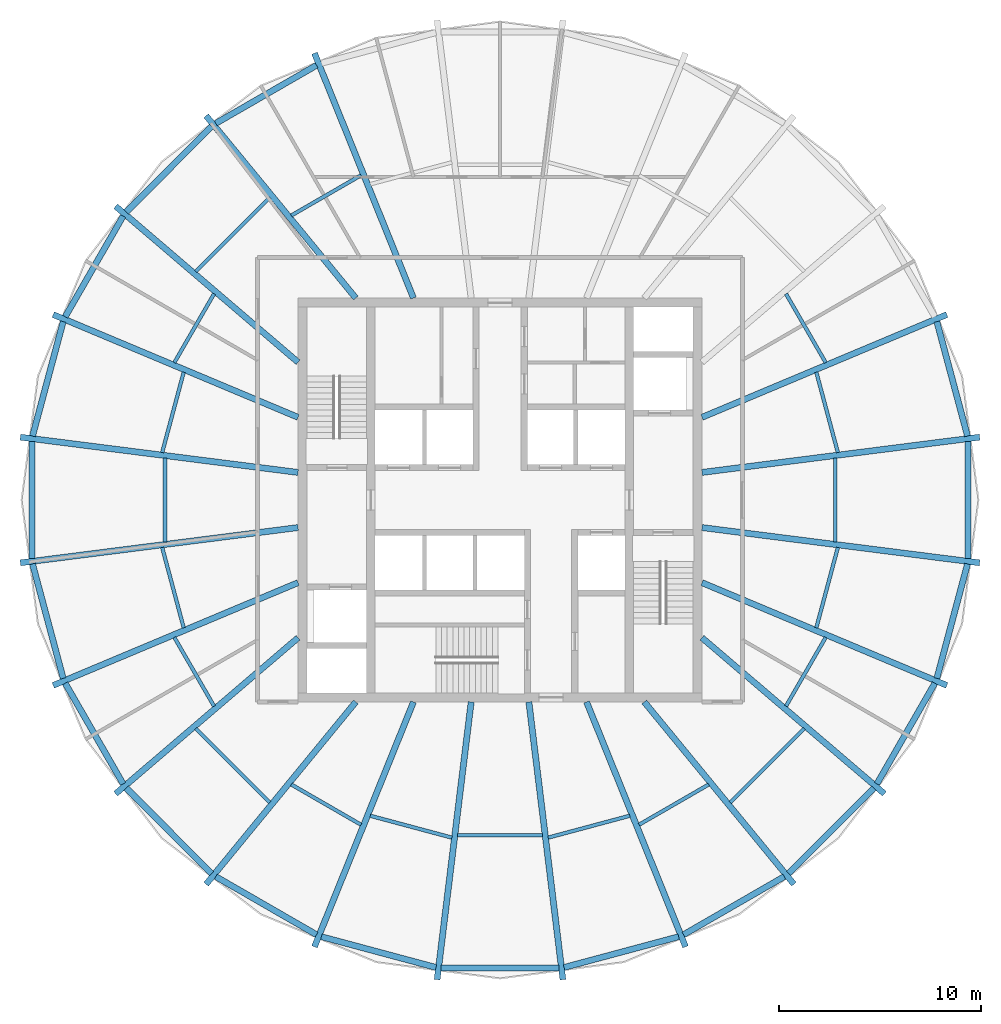
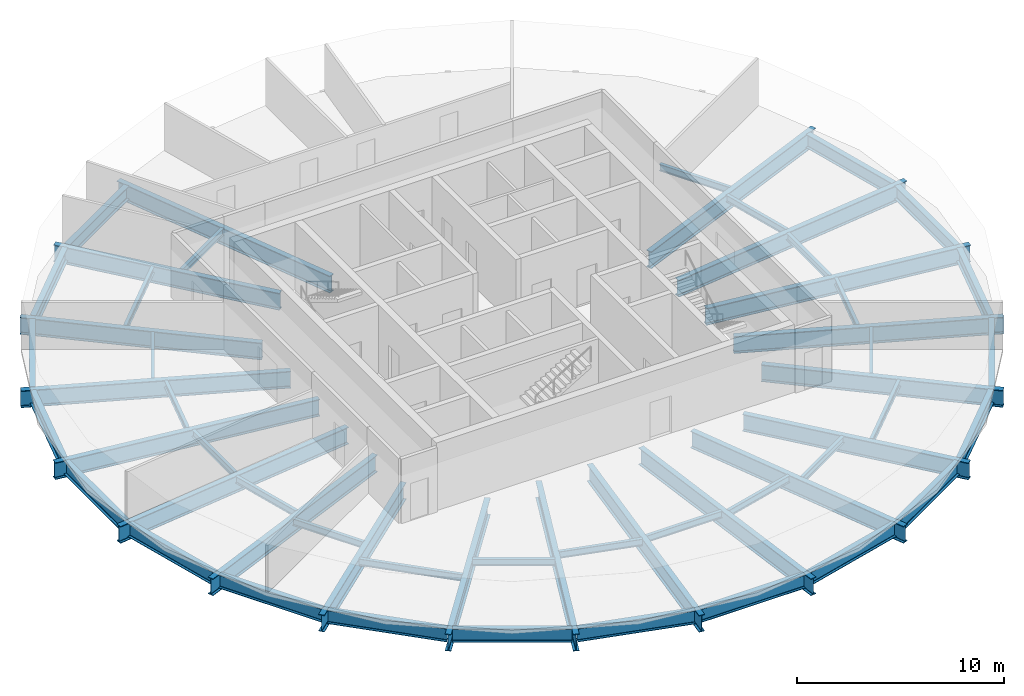
# One storey, part 1 of 5: 56 beams.
"""IFC4 building model written with IfcOpenShell, lengths in metres."""

from ifc_helpers import new_model, si_unit, direction, frame, origin, origin_2d, place, context, subcontext, project, spatial, i_section, extrude, material, material_profile, profile_set, type_object, element, save


model = new_model("IFC4")

# Units and contexts
model_context = context("Model", 3, precision=1e-05, world=origin(), true_north=direction((0.0, 1.0)))
body_context = subcontext(model_context, "Body", "Model", "MODEL_VIEW")
ifc_project = project(units=[si_unit("LENGTHUNIT", "METRE"), si_unit("AREAUNIT", "SQUARE_METRE"), si_unit("VOLUMEUNIT", "CUBIC_METRE"), si_unit("PLANEANGLEUNIT", "RADIAN"), si_unit("MASSUNIT", "GRAM", prefix="KILO")], contexts=[model_context])

# Site, building, storey
site_placement = place(None, origin())
site = spatial("IfcSite", under=ifc_project, at=site_placement, CompositionType="ELEMENT")
building_placement = place(site_placement, origin())
building = spatial("IfcBuilding", under=site, at=building_placement, Name="Golbaran Civic Tower", CompositionType="ELEMENT")
storey_placement = place(building_placement, frame((0.0, 0.0, 191.0)))
storey = spatial("IfcBuildingStorey", under=building, at=storey_placement, Name="L46", CompositionType="ELEMENT", Elevation=191.0)

# Beams
ifc_material = material(Name="Steel S355", Category="steel")
ifc_material_profile_1 = material_profile(ifc_material, i_section(OverallWidth=0.300048828125, OverallDepth=0.800048828125, WebThickness=0.017578125, FlangeThickness=0.032958984375, FilletRadius=0.030029296875, at=origin_2d()), Name="HEB 800")
ifc_profile_set_1 = profile_set([ifc_material_profile_1], Name="Steel S355")
beam_type_1 = type_object("IfcBeamType", Name="EDGE BEAM HEB 800", PredefinedType="BEAM", material=ifc_profile_set_1)
beam_1_placement = place(storey_placement, frame((23.14599609375, 3.165771484375, -0.60009765625), z_axis=(-0.258817920438, 0.965926127641, 0.0), x_axis=(-0.965926127641, -0.258817920438, 0.0)))
element("IfcBeam", 1, at=beam_1_placement, inside=storey, type_object=beam_type_1, Name="Edge beam 7.46 L46", PredefinedType="BEAM", context=body_context, shape_type="SweptSolid", body=[
    extrude(i_section(OverallWidth=0.300048828125, OverallDepth=0.800048828125, WebThickness=0.017578125, FlangeThickness=0.032958984375, FilletRadius=0.030029296875, at=origin_2d()), origin(), (0.0, 0.0, 1.0), 5.865478515625),
])
beam_2_placement = place(storey_placement, frame((-9.085205078125, 21.522705078125, -0.60009765625), z_axis=(-0.866321769944, -0.499486327061, 0.0), x_axis=(0.499486327061, -0.866321769944, 0.0)))
element("IfcBeam", 2, at=beam_2_placement, inside=storey, type_object=beam_type_1, Name="Edge beam 112.54 L46", PredefinedType="BEAM", context=body_context, shape_type="SweptSolid", body=[
    extrude(i_section(OverallWidth=0.300048828125, OverallDepth=0.800048828125, WebThickness=0.017578125, FlangeThickness=0.032958984375, FilletRadius=0.030029296875, at=origin_2d()), origin(), (0.0, 0.0, 1.0), 5.7587890625),
])
beam_3_placement = place(storey_placement, frame((-14.28076171875, 18.488037109375, -0.60009765625), z_axis=(-0.706759243331, -0.707454148313, 0.0), x_axis=(0.707454148313, -0.706759243331, 0.0)))
element("IfcBeam", 3, at=beam_3_placement, inside=storey, type_object=beam_type_1, Name="Edge beam 127.46 L46", PredefinedType="BEAM", context=body_context, shape_type="SweptSolid", body=[
    extrude(i_section(OverallWidth=0.300048828125, OverallDepth=0.800048828125, WebThickness=0.017578125, FlangeThickness=0.032958984375, FilletRadius=0.030029296875, at=origin_2d()), origin(), (0.0, 0.0, 1.0), 5.97265625),
])
beam_4_placement = place(storey_placement, frame((-18.66015625, 14.055908203125, -0.60009765625), z_axis=(-0.498783758657, -0.866726463251, 0.0), x_axis=(0.866726463251, -0.498783758657, 0.0)))
element("IfcBeam", 4, at=beam_4_placement, inside=storey, type_object=beam_type_1, Name="Edge beam 142.54 L46", PredefinedType="BEAM", context=body_context, shape_type="SweptSolid", body=[
    extrude(i_section(OverallWidth=0.300048828125, OverallDepth=0.800048828125, WebThickness=0.017578125, FlangeThickness=0.032958984375, FilletRadius=0.030029296875, at=origin_2d()), origin(), (0.0, 0.0, 1.0), 5.750732421875),
])
beam_5_placement = place(storey_placement, frame((-21.6279296875, 8.831298828125, -0.60009765625), z_axis=(-0.258817920438, -0.965926127641, 0.0), x_axis=(0.965926127641, -0.258817920438, 0.0)))
element("IfcBeam", 5, at=beam_5_placement, inside=storey, type_object=beam_type_1, Name="Edge beam 157.46 L46", PredefinedType="BEAM", context=body_context, shape_type="SweptSolid", body=[
    extrude(i_section(OverallWidth=0.300048828125, OverallDepth=0.800048828125, WebThickness=0.017578125, FlangeThickness=0.032958984375, FilletRadius=0.030029296875, at=origin_2d()), origin(), (0.0, 0.0, 1.0), 5.865478515625),
])
beam_6_placement = place(storey_placement, frame((-23.179931640625, 2.907958984375, -0.60009765625), z_axis=(0.0, -1.0, 0.0), x_axis=(1.0, 0.0, 0.0)))
element("IfcBeam", 6, at=beam_6_placement, inside=storey, type_object=beam_type_1, Name="Edge beam 172.54 L46", PredefinedType="BEAM", context=body_context, shape_type="SweptSolid", body=[
    extrude(i_section(OverallWidth=0.300048828125, OverallDepth=0.800048828125, WebThickness=0.017578125, FlangeThickness=0.032958984375, FilletRadius=0.030029296875, at=origin_2d()), origin(), (0.0, 0.0, 1.0), 5.81591796875),
])
beam_7_placement = place(storey_placement, frame((-23.14599609375, -3.165771484375, -0.60009765625), z_axis=(0.258817920438, -0.965926127641, 0.0), x_axis=(0.965926127641, 0.258817920438, 0.0)))
element("IfcBeam", 7, at=beam_7_placement, inside=storey, type_object=beam_type_1, Name="Edge beam 187.46 L46", PredefinedType="BEAM", context=body_context, shape_type="SweptSolid", body=[
    extrude(i_section(OverallWidth=0.300048828125, OverallDepth=0.800048828125, WebThickness=0.017578125, FlangeThickness=0.032958984375, FilletRadius=0.030029296875, at=origin_2d()), origin(), (0.0, 0.0, 1.0), 5.865478515625),
])
beam_8_placement = place(storey_placement, frame((-21.528564453125, -9.071533203125, -0.60009765625), z_axis=(0.498783758657, -0.866726463251, 0.0), x_axis=(0.866726463251, 0.498783758657, 0.0)))
element("IfcBeam", 8, at=beam_8_placement, inside=storey, type_object=beam_type_1, Name="Edge beam 202.54 L46", PredefinedType="BEAM", context=body_context, shape_type="SweptSolid", body=[
    extrude(i_section(OverallWidth=0.300048828125, OverallDepth=0.800048828125, WebThickness=0.017578125, FlangeThickness=0.032958984375, FilletRadius=0.030029296875, at=origin_2d()), origin(), (0.0, 0.0, 1.0), 5.750732421875),
])
beam_9_placement = place(storey_placement, frame((-18.501953125, -14.2626953125, -0.60009765625), z_axis=(0.706759243331, -0.707454148313, 0.0), x_axis=(0.707454148313, 0.706759243331, 0.0)))
element("IfcBeam", 9, at=beam_9_placement, inside=storey, type_object=beam_type_1, Name="Edge beam 217.46 L46", PredefinedType="BEAM", context=body_context, shape_type="SweptSolid", body=[
    extrude(i_section(OverallWidth=0.300048828125, OverallDepth=0.800048828125, WebThickness=0.017578125, FlangeThickness=0.032958984375, FilletRadius=0.030029296875, at=origin_2d()), origin(), (0.0, 0.0, 1.0), 5.97265625),
])
beam_10_placement = place(storey_placement, frame((-14.07421875, -18.646240234375, -0.60009765625), z_axis=(0.866321769944, -0.499486327061, 0.0), x_axis=(0.499486327061, 0.866321769944, 0.0)))
element("IfcBeam", 10, at=beam_10_placement, inside=storey, type_object=beam_type_1, Name="Edge beam 232.54 L46", PredefinedType="BEAM", context=body_context, shape_type="SweptSolid", body=[
    extrude(i_section(OverallWidth=0.300048828125, OverallDepth=0.800048828125, WebThickness=0.017578125, FlangeThickness=0.032958984375, FilletRadius=0.030029296875, at=origin_2d()), origin(), (0.0, 0.0, 1.0), 5.7587890625),
])
beam_11_placement = place(storey_placement, frame((-8.844970703125, -21.622314453125, -0.60009765625), z_axis=(0.965815688731, -0.259229734792, 0.0), x_axis=(0.259229734792, 0.965815688731, 0.0)))
element("IfcBeam", 11, at=beam_11_placement, inside=storey, type_object=beam_type_1, Name="Edge beam 247.46 L46", PredefinedType="BEAM", context=body_context, shape_type="SweptSolid", body=[
    extrude(i_section(OverallWidth=0.300048828125, OverallDepth=0.800048828125, WebThickness=0.017578125, FlangeThickness=0.032958984375, FilletRadius=0.030029296875, at=origin_2d()), origin(), (0.0, 0.0, 1.0), 5.875),
])
beam_12_placement = place(storey_placement, frame((-2.9130859375, -23.17919921875, -0.60009765625), z_axis=(1.0, 0.0, 0.0), x_axis=(0.0, 1.0, 0.0)))
element("IfcBeam", 12, at=beam_12_placement, inside=storey, type_object=beam_type_1, Name="Edge beam 262.54 L46", PredefinedType="BEAM", context=body_context, shape_type="SweptSolid", body=[
    extrude(i_section(OverallWidth=0.300048828125, OverallDepth=0.800048828125, WebThickness=0.017578125, FlangeThickness=0.032958984375, FilletRadius=0.030029296875, at=origin_2d()), origin(), (0.0, 0.0, 1.0), 5.826171875),
])
beam_13_placement = place(storey_placement, frame((3.1708984375, -23.145263671875, -0.60009765625), z_axis=(0.965815688731, 0.259229734792, 0.0), x_axis=(-0.259229734792, 0.965815688731, 0.0)))
element("IfcBeam", 13, at=beam_13_placement, inside=storey, type_object=beam_type_1, Name="Edge beam 277.46 L46", PredefinedType="BEAM", context=body_context, shape_type="SweptSolid", body=[
    extrude(i_section(OverallWidth=0.300048828125, OverallDepth=0.800048828125, WebThickness=0.017578125, FlangeThickness=0.032958984375, FilletRadius=0.030029296875, at=origin_2d()), origin(), (0.0, 0.0, 1.0), 5.875),
])
beam_14_placement = place(storey_placement, frame((9.085205078125, -21.522705078125, -0.60009765625), z_axis=(0.866321769944, 0.499486327061, 0.0), x_axis=(-0.499486327061, 0.866321769944, 0.0)))
element("IfcBeam", 14, at=beam_14_placement, inside=storey, type_object=beam_type_1, Name="Edge beam 292.54 L46", PredefinedType="BEAM", context=body_context, shape_type="SweptSolid", body=[
    extrude(i_section(OverallWidth=0.300048828125, OverallDepth=0.800048828125, WebThickness=0.017578125, FlangeThickness=0.032958984375, FilletRadius=0.030029296875, at=origin_2d()), origin(), (0.0, 0.0, 1.0), 5.7587890625),
])
beam_15_placement = place(storey_placement, frame((14.28076171875, -18.488037109375, -0.60009765625), z_axis=(0.706759243331, 0.707454148313, 0.0), x_axis=(-0.707454148313, 0.706759243331, 0.0)))
element("IfcBeam", 15, at=beam_15_placement, inside=storey, type_object=beam_type_1, Name="Edge beam 307.46 L46", PredefinedType="BEAM", context=body_context, shape_type="SweptSolid", body=[
    extrude(i_section(OverallWidth=0.300048828125, OverallDepth=0.800048828125, WebThickness=0.017578125, FlangeThickness=0.032958984375, FilletRadius=0.030029296875, at=origin_2d()), origin(), (0.0, 0.0, 1.0), 5.97265625),
])
beam_16_placement = place(storey_placement, frame((18.66015625, -14.055908203125, -0.60009765625), z_axis=(0.498783758657, 0.866726463251, 0.0), x_axis=(-0.866726463251, 0.498783758657, 0.0)))
element("IfcBeam", 16, at=beam_16_placement, inside=storey, type_object=beam_type_1, Name="Edge beam 322.54 L46", PredefinedType="BEAM", context=body_context, shape_type="SweptSolid", body=[
    extrude(i_section(OverallWidth=0.300048828125, OverallDepth=0.800048828125, WebThickness=0.017578125, FlangeThickness=0.032958984375, FilletRadius=0.030029296875, at=origin_2d()), origin(), (0.0, 0.0, 1.0), 5.750732421875),
])
beam_17_placement = place(storey_placement, frame((21.6279296875, -8.831298828125, -0.60009765625), z_axis=(0.258817920438, 0.965926127641, 0.0), x_axis=(-0.965926127641, 0.258817920438, 0.0)))
element("IfcBeam", 17, at=beam_17_placement, inside=storey, type_object=beam_type_1, Name="Edge beam 337.46 L46", PredefinedType="BEAM", context=body_context, shape_type="SweptSolid", body=[
    extrude(i_section(OverallWidth=0.300048828125, OverallDepth=0.800048828125, WebThickness=0.017578125, FlangeThickness=0.032958984375, FilletRadius=0.030029296875, at=origin_2d()), origin(), (0.0, 0.0, 1.0), 5.865478515625),
])
beam_18_placement = place(storey_placement, frame((23.179931640625, -2.907958984375, -0.60009765625), z_axis=(0.0, 1.0, 0.0), x_axis=(-1.0, 0.0, 0.0)))
element("IfcBeam", 18, at=beam_18_placement, inside=storey, type_object=beam_type_1, Name="Edge beam 352.54 L46", PredefinedType="BEAM", context=body_context, shape_type="SweptSolid", body=[
    extrude(i_section(OverallWidth=0.300048828125, OverallDepth=0.800048828125, WebThickness=0.017578125, FlangeThickness=0.032958984375, FilletRadius=0.030029296875, at=origin_2d()), origin(), (0.0, 0.0, 1.0), 5.81591796875),
])
ifc_material_profile_2 = material_profile(ifc_material, i_section(OverallWidth=0.179931640625, OverallDepth=0.39990234375, WebThickness=0.008544921875, FlangeThickness=0.013427734375, FilletRadius=0.02099609375, at=origin_2d()), Name="IPE 400")
ifc_profile_set_2 = profile_set([ifc_material_profile_2], Name="Steel S355")
beam_type_2 = type_object("IfcBeamType", Name="FLOOR INFILL BEAM IPE 400", PredefinedType="BEAM", material=ifc_profile_set_2)
beam_19_placement = place(storey_placement, frame((16.726318359375, 2.35009765625, -0.39990234375), z_axis=(-0.258825000964, 0.965924230401, 0.0), x_axis=(-0.965924230401, -0.258825000964, 0.0)))
element("IfcBeam", 19, at=beam_19_placement, inside=storey, type_object=beam_type_2, Name="Infill beam 15.00 L46", PredefinedType="BEAM", context=body_context, shape_type="SweptSolid", body=[
    extrude(i_section(OverallWidth=0.179931640625, OverallDepth=0.39990234375, WebThickness=0.008544921875, FlangeThickness=0.013427734375, FilletRadius=0.02099609375, at=origin_2d()), origin(), (0.0, 0.0, 1.0), 4.117431640625),
])
beam_20_placement = place(storey_placement, frame((16.1240234375, 6.803466796875, -0.39990234375), z_axis=(-0.500007449647, 0.866021102686, 0.0), x_axis=(-0.866021102686, -0.500007449647, 0.0)))
element("IfcBeam", 20, at=beam_20_placement, inside=storey, type_object=beam_type_2, Name="Infill beam 30.00 L46", PredefinedType="BEAM", context=body_context, shape_type="SweptSolid", body=[
    extrude(i_section(OverallWidth=0.179931640625, OverallDepth=0.39990234375, WebThickness=0.008544921875, FlangeThickness=0.013427734375, FilletRadius=0.02099609375, at=origin_2d()), origin(), (0.0, 0.0, 1.0), 3.93017578125),
])
beam_21_placement = place(storey_placement, frame((-6.88330078125, 16.07763671875, -0.39990234375), z_axis=(-0.86601911396, -0.500010894137, 0.0), x_axis=(0.500010894137, -0.86601911396, 0.0)))
element("IfcBeam", 21, at=beam_21_placement, inside=storey, type_object=beam_type_2, Name="Infill beam 120.00 L46", PredefinedType="BEAM", context=body_context, shape_type="SweptSolid", body=[
    extrude(i_section(OverallWidth=0.179931640625, OverallDepth=0.39990234375, WebThickness=0.008544921875, FlangeThickness=0.013427734375, FilletRadius=0.02099609375, at=origin_2d()), origin(), (0.0, 0.0, 1.0), 3.98095703125),
])
beam_22_placement = place(storey_placement, frame((-11.401611328125, 14.981689453125, -0.39990234375), z_axis=(-0.707106781187, -0.707106781187, 0.0), x_axis=(0.707106781187, -0.707106781187, 0.0)))
element("IfcBeam", 22, at=beam_22_placement, inside=storey, type_object=beam_type_2, Name="Infill beam 135.00 L46", PredefinedType="BEAM", context=body_context, shape_type="SweptSolid", body=[
    extrude(i_section(OverallWidth=0.179931640625, OverallDepth=0.39990234375, WebThickness=0.008544921875, FlangeThickness=0.013427734375, FilletRadius=0.02099609375, at=origin_2d()), origin(), (0.0, 0.0, 1.0), 5.176513671875),
])
beam_23_placement = place(storey_placement, frame((-14.158935546875, 10.20703125, -0.39990234375), z_axis=(-0.500007449647, -0.866021102686, 0.0), x_axis=(0.866021102686, -0.500007449647, 0.0)))
element("IfcBeam", 23, at=beam_23_placement, inside=storey, type_object=beam_type_2, Name="Infill beam 150.00 L46", PredefinedType="BEAM", context=body_context, shape_type="SweptSolid", body=[
    extrude(i_section(OverallWidth=0.179931640625, OverallDepth=0.39990234375, WebThickness=0.008544921875, FlangeThickness=0.013427734375, FilletRadius=0.02099609375, at=origin_2d()), origin(), (0.0, 0.0, 1.0), 3.93017578125),
])
beam_24_placement = place(storey_placement, frame((-15.66064453125, 6.3271484375, -0.39990234375), z_axis=(-0.258825000964, -0.965924230401, 0.0), x_axis=(0.965924230401, -0.258825000964, 0.0)))
element("IfcBeam", 24, at=beam_24_placement, inside=storey, type_object=beam_type_2, Name="Infill beam 165.00 L46", PredefinedType="BEAM", context=body_context, shape_type="SweptSolid", body=[
    extrude(i_section(OverallWidth=0.179931640625, OverallDepth=0.39990234375, WebThickness=0.008544921875, FlangeThickness=0.013427734375, FilletRadius=0.02099609375, at=origin_2d()), origin(), (0.0, 0.0, 1.0), 4.117431640625),
])
beam_25_placement = place(storey_placement, frame((-16.58984375, 2.070556640625, -0.39990234375), z_axis=(0.0, -1.0, 0.0), x_axis=(1.0, 0.0, 0.0)))
element("IfcBeam", 25, at=beam_25_placement, inside=storey, type_object=beam_type_2, Name="Infill beam 180.00 L46", PredefinedType="BEAM", context=body_context, shape_type="SweptSolid", body=[
    extrude(i_section(OverallWidth=0.179931640625, OverallDepth=0.39990234375, WebThickness=0.008544921875, FlangeThickness=0.013427734375, FilletRadius=0.02099609375, at=origin_2d()), origin(), (0.0, 0.0, 1.0), 4.14111328125),
])
beam_26_placement = place(storey_placement, frame((-16.726318359375, -2.35009765625, -0.39990234375), z_axis=(0.258825000964, -0.965924230401, 0.0), x_axis=(0.965924230401, 0.258825000964, 0.0)))
element("IfcBeam", 26, at=beam_26_placement, inside=storey, type_object=beam_type_2, Name="Infill beam 195.00 L46", PredefinedType="BEAM", context=body_context, shape_type="SweptSolid", body=[
    extrude(i_section(OverallWidth=0.179931640625, OverallDepth=0.39990234375, WebThickness=0.008544921875, FlangeThickness=0.013427734375, FilletRadius=0.02099609375, at=origin_2d()), origin(), (0.0, 0.0, 1.0), 4.117431640625),
])
beam_27_placement = place(storey_placement, frame((-16.1240234375, -6.803466796875, -0.39990234375), z_axis=(0.500007449647, -0.866021102686, 0.0), x_axis=(0.866021102686, 0.500007449647, 0.0)))
element("IfcBeam", 27, at=beam_27_placement, inside=storey, type_object=beam_type_2, Name="Infill beam 210.00 L46", PredefinedType="BEAM", context=body_context, shape_type="SweptSolid", body=[
    extrude(i_section(OverallWidth=0.179931640625, OverallDepth=0.39990234375, WebThickness=0.008544921875, FlangeThickness=0.013427734375, FilletRadius=0.02099609375, at=origin_2d()), origin(), (0.0, 0.0, 1.0), 3.93017578125),
])
beam_28_placement = place(storey_placement, frame((-15.06201171875, -11.3212890625, -0.39990234375), z_axis=(0.707106781187, -0.707106781187, 0.0), x_axis=(0.707106781187, 0.707106781187, 0.0)))
element("IfcBeam", 28, at=beam_28_placement, inside=storey, type_object=beam_type_2, Name="Infill beam 225.00 L46", PredefinedType="BEAM", context=body_context, shape_type="SweptSolid", body=[
    extrude(i_section(OverallWidth=0.179931640625, OverallDepth=0.39990234375, WebThickness=0.008544921875, FlangeThickness=0.013427734375, FilletRadius=0.02099609375, at=origin_2d()), origin(), (0.0, 0.0, 1.0), 5.176513671875),
])
beam_29_placement = place(storey_placement, frame((-10.330810546875, -14.087158203125, -0.39990234375), z_axis=(0.86601911396, -0.500010894137, 0.0), x_axis=(0.500010894137, 0.86601911396, 0.0)))
element("IfcBeam", 29, at=beam_29_placement, inside=storey, type_object=beam_type_2, Name="Infill beam 240.00 L46", PredefinedType="BEAM", context=body_context, shape_type="SweptSolid", body=[
    extrude(i_section(OverallWidth=0.179931640625, OverallDepth=0.39990234375, WebThickness=0.008544921875, FlangeThickness=0.013427734375, FilletRadius=0.02099609375, at=origin_2d()), origin(), (0.0, 0.0, 1.0), 3.98095703125),
])
beam_30_placement = place(storey_placement, frame((-6.423828125, -15.634521484375, -0.39990234375), z_axis=(0.96592721274, -0.258813870741, 0.0), x_axis=(0.258813870741, 0.96592721274, 0.0)))
element("IfcBeam", 30, at=beam_30_placement, inside=storey, type_object=beam_type_2, Name="Infill beam 255.00 L46", PredefinedType="BEAM", context=body_context, shape_type="SweptSolid", body=[
    extrude(i_section(OverallWidth=0.179931640625, OverallDepth=0.39990234375, WebThickness=0.008544921875, FlangeThickness=0.013427734375, FilletRadius=0.02099609375, at=origin_2d()), origin(), (0.0, 0.0, 1.0), 4.18359375),
])
beam_31_placement = place(storey_placement, frame((-2.105224609375, -16.589599609375, -0.39990234375), z_axis=(1.0, 0.0, 0.0), x_axis=(0.0, 1.0, 0.0)))
element("IfcBeam", 31, at=beam_31_placement, inside=storey, type_object=beam_type_2, Name="Infill beam 270.00 L46", PredefinedType="BEAM", context=body_context, shape_type="SweptSolid", body=[
    extrude(i_section(OverallWidth=0.179931640625, OverallDepth=0.39990234375, WebThickness=0.008544921875, FlangeThickness=0.013427734375, FilletRadius=0.02099609375, at=origin_2d()), origin(), (0.0, 0.0, 1.0), 4.21044921875),
])
beam_32_placement = place(storey_placement, frame((2.3828125, -16.71728515625, -0.39990234375), z_axis=(0.96592721274, 0.258813870741, 0.0), x_axis=(-0.258813870741, 0.96592721274, 0.0)))
element("IfcBeam", 32, at=beam_32_placement, inside=storey, type_object=beam_type_2, Name="Infill beam 285.00 L46", PredefinedType="BEAM", context=body_context, shape_type="SweptSolid", body=[
    extrude(i_section(OverallWidth=0.179931640625, OverallDepth=0.39990234375, WebThickness=0.008544921875, FlangeThickness=0.013427734375, FilletRadius=0.02099609375, at=origin_2d()), origin(), (0.0, 0.0, 1.0), 4.18359375),
])
beam_33_placement = place(storey_placement, frame((6.88330078125, -16.07763671875, -0.39990234375), z_axis=(0.86601911396, 0.500010894137, 0.0), x_axis=(-0.500010894137, 0.86601911396, 0.0)))
element("IfcBeam", 33, at=beam_33_placement, inside=storey, type_object=beam_type_2, Name="Infill beam 300.00 L46", PredefinedType="BEAM", context=body_context, shape_type="SweptSolid", body=[
    extrude(i_section(OverallWidth=0.179931640625, OverallDepth=0.39990234375, WebThickness=0.008544921875, FlangeThickness=0.013427734375, FilletRadius=0.02099609375, at=origin_2d()), origin(), (0.0, 0.0, 1.0), 3.98095703125),
])
beam_34_placement = place(storey_placement, frame((11.401611328125, -14.981689453125, -0.39990234375), z_axis=(0.707106781187, 0.707106781187, 0.0), x_axis=(-0.707106781187, 0.707106781187, 0.0)))
element("IfcBeam", 34, at=beam_34_placement, inside=storey, type_object=beam_type_2, Name="Infill beam 315.00 L46", PredefinedType="BEAM", context=body_context, shape_type="SweptSolid", body=[
    extrude(i_section(OverallWidth=0.179931640625, OverallDepth=0.39990234375, WebThickness=0.008544921875, FlangeThickness=0.013427734375, FilletRadius=0.02099609375, at=origin_2d()), origin(), (0.0, 0.0, 1.0), 5.176513671875),
])
beam_35_placement = place(storey_placement, frame((14.158935546875, -10.20703125, -0.39990234375), z_axis=(0.500007449647, 0.866021102686, 0.0), x_axis=(-0.866021102686, 0.500007449647, 0.0)))
element("IfcBeam", 35, at=beam_35_placement, inside=storey, type_object=beam_type_2, Name="Infill beam 330.00 L46", PredefinedType="BEAM", context=body_context, shape_type="SweptSolid", body=[
    extrude(i_section(OverallWidth=0.179931640625, OverallDepth=0.39990234375, WebThickness=0.008544921875, FlangeThickness=0.013427734375, FilletRadius=0.02099609375, at=origin_2d()), origin(), (0.0, 0.0, 1.0), 3.93017578125),
])
beam_36_placement = place(storey_placement, frame((15.66064453125, -6.3271484375, -0.39990234375), z_axis=(0.258825000964, 0.965924230401, 0.0), x_axis=(-0.965924230401, 0.258825000964, 0.0)))
element("IfcBeam", 36, at=beam_36_placement, inside=storey, type_object=beam_type_2, Name="Infill beam 345.00 L46", PredefinedType="BEAM", context=body_context, shape_type="SweptSolid", body=[
    extrude(i_section(OverallWidth=0.179931640625, OverallDepth=0.39990234375, WebThickness=0.008544921875, FlangeThickness=0.013427734375, FilletRadius=0.02099609375, at=origin_2d()), origin(), (0.0, 0.0, 1.0), 4.117431640625),
])
beam_37_placement = place(storey_placement, frame((16.58984375, -2.070556640625, -0.39990234375), z_axis=(0.0, 1.0, 0.0), x_axis=(-1.0, 0.0, 0.0)))
element("IfcBeam", 37, at=beam_37_placement, inside=storey, type_object=beam_type_2, Name="Infill beam 0.00 L46", PredefinedType="BEAM", context=body_context, shape_type="SweptSolid", body=[
    extrude(i_section(OverallWidth=0.179931640625, OverallDepth=0.39990234375, WebThickness=0.008544921875, FlangeThickness=0.013427734375, FilletRadius=0.02099609375, at=origin_2d()), origin(), (0.0, 0.0, 1.0), 4.14111328125),
])
ifc_material_profile_3 = material_profile(ifc_material, i_section(OverallWidth=0.300048828125, OverallDepth=1.0, WebThickness=0.01904296875, FlangeThickness=0.035888671875, FilletRadius=0.030029296875, at=origin_2d()), Name="HEB 1000")
ifc_profile_set_3 = profile_set([ifc_material_profile_3], Name="Steel S355")
beam_type_3 = type_object("IfcBeamType", Name="RADIAL FLOOR BEAM HEB 1000", PredefinedType="BEAM", material=ifc_profile_set_3)
beam_38_placement = place(storey_placement, frame((10.0, 1.3642578125, -0.7099609375), z_axis=(0.992021563393, 0.126068305943, 0.0), x_axis=(-0.126068305943, 0.992021563393, 0.0)))
element("IfcBeam", 38, at=beam_38_placement, inside=storey, type_object=beam_type_3, Name="Radial beam 7.46 L46", PredefinedType="BEAM", context=body_context, shape_type="SweptSolid", body=[
    extrude(i_section(OverallWidth=0.300048828125, OverallDepth=1.0, WebThickness=0.01904296875, FlangeThickness=0.035888671875, FilletRadius=0.030029296875, at=origin_2d()), origin(), (0.0, 0.0, 1.0), 13.858154296875),
])
beam_39_placement = place(storey_placement, frame((10.0, 4.0927734375, -0.7099609375), z_axis=(0.922101412857, 0.386948296815, 0.0), x_axis=(-0.386948296815, 0.922101412857, 0.0)))
element("IfcBeam", 39, at=beam_39_placement, inside=storey, type_object=beam_type_3, Name="Radial beam 22.54 L46", PredefinedType="BEAM", context=body_context, shape_type="SweptSolid", body=[
    extrude(i_section(OverallWidth=0.300048828125, OverallDepth=1.0, WebThickness=0.01904296875, FlangeThickness=0.035888671875, FilletRadius=0.030029296875, at=origin_2d()), origin(), (0.0, 0.0, 1.0), 13.1455078125),
])
beam_40_placement = place(storey_placement, frame((-4.28564453125, 10.0, -0.7099609375), z_axis=(-0.374865680625, 0.927079134427, 0.0), x_axis=(-0.927079134427, -0.374865680625, 0.0)))
element("IfcBeam", 40, at=beam_40_placement, inside=storey, type_object=beam_type_3, Name="Radial beam 112.54 L46", PredefinedType="BEAM", context=body_context, shape_type="SweptSolid", body=[
    extrude(i_section(OverallWidth=0.300048828125, OverallDepth=1.0, WebThickness=0.01904296875, FlangeThickness=0.035888671875, FilletRadius=0.030029296875, at=origin_2d()), origin(), (0.0, 0.0, 1.0), 13.072509765625),
])
beam_41_placement = place(storey_placement, frame((-7.142822265625, 10.0, -0.7099609375), z_axis=(-0.634591816871, 0.772847479106, 0.0), x_axis=(-0.772847479106, -0.634591816871, 0.0)))
element("IfcBeam", 41, at=beam_41_placement, inside=storey, type_object=beam_type_3, Name="Radial beam 127.46 L46", PredefinedType="BEAM", context=body_context, shape_type="SweptSolid", body=[
    extrude(i_section(OverallWidth=0.300048828125, OverallDepth=1.0, WebThickness=0.01904296875, FlangeThickness=0.035888671875, FilletRadius=0.030029296875, at=origin_2d()), origin(), (0.0, 0.0, 1.0), 11.67578125),
])
beam_42_placement = place(storey_placement, frame((-10.0, 6.821533203125, -0.7099609375), z_axis=(-0.760014614656, 0.649905982054, 0.0), x_axis=(-0.649905982054, -0.760014614656, 0.0)))
element("IfcBeam", 42, at=beam_42_placement, inside=storey, type_object=beam_type_3, Name="Radial beam 142.54 L46", PredefinedType="BEAM", context=body_context, shape_type="SweptSolid", body=[
    extrude(i_section(OverallWidth=0.300048828125, OverallDepth=1.0, WebThickness=0.01904296875, FlangeThickness=0.035888671875, FilletRadius=0.030029296875, at=origin_2d()), origin(), (0.0, 0.0, 1.0), 11.88232421875),
])
beam_43_placement = place(storey_placement, frame((-10.0, 4.0927734375, -0.7099609375), z_axis=(-0.922101412857, 0.386948296815, 0.0), x_axis=(-0.386948296815, -0.922101412857, 0.0)))
element("IfcBeam", 43, at=beam_43_placement, inside=storey, type_object=beam_type_3, Name="Radial beam 157.46 L46", PredefinedType="BEAM", context=body_context, shape_type="SweptSolid", body=[
    extrude(i_section(OverallWidth=0.300048828125, OverallDepth=1.0, WebThickness=0.01904296875, FlangeThickness=0.035888671875, FilletRadius=0.030029296875, at=origin_2d()), origin(), (0.0, 0.0, 1.0), 13.1455078125),
])
for number, where, z_axis, x_axis, name in (
    (44, (-10.0, 1.3642578125, -0.7099609375), (-0.992021563393, 0.126068305943, 0.0), (-0.126068305943, -0.992021563393, 0.0), "Radial beam 172.54 L46"),
    (45, (-10.0, -1.3642578125, -0.7099609375), (-0.992021563393, -0.126068305943, 0.0), (0.126068305943, -0.992021563393, 0.0), "Radial beam 187.46 L46"),
):
    element("IfcBeam", number, at=place(storey_placement, frame(where, z_axis=z_axis, x_axis=x_axis)), inside=storey, type_object=beam_type_3, Name=name, PredefinedType="BEAM", context=body_context, shape_type="SweptSolid", body=[
        extrude(i_section(OverallWidth=0.300048828125, OverallDepth=1.0, WebThickness=0.01904296875, FlangeThickness=0.035888671875, FilletRadius=0.030029296875, at=origin_2d()), origin(), (0.0, 0.0, 1.0), 13.858154296875),
    ])
beam_44_placement = place(storey_placement, frame((-10.0, -4.0927734375, -0.7099609375), z_axis=(-0.922101412857, -0.386948296815, 0.0), x_axis=(0.386948296815, -0.922101412857, 0.0)))
element("IfcBeam", 46, at=beam_44_placement, inside=storey, type_object=beam_type_3, Name="Radial beam 202.54 L46", PredefinedType="BEAM", context=body_context, shape_type="SweptSolid", body=[
    extrude(i_section(OverallWidth=0.300048828125, OverallDepth=1.0, WebThickness=0.01904296875, FlangeThickness=0.035888671875, FilletRadius=0.030029296875, at=origin_2d()), origin(), (0.0, 0.0, 1.0), 13.1455078125),
])
beam_45_placement = place(storey_placement, frame((-10.0, -6.821533203125, -0.7099609375), z_axis=(-0.760014614656, -0.649905982054, 0.0), x_axis=(0.649905982054, -0.760014614656, 0.0)))
element("IfcBeam", 47, at=beam_45_placement, inside=storey, type_object=beam_type_3, Name="Radial beam 217.46 L46", PredefinedType="BEAM", context=body_context, shape_type="SweptSolid", body=[
    extrude(i_section(OverallWidth=0.300048828125, OverallDepth=1.0, WebThickness=0.01904296875, FlangeThickness=0.035888671875, FilletRadius=0.030029296875, at=origin_2d()), origin(), (0.0, 0.0, 1.0), 11.88232421875),
])
beam_46_placement = place(storey_placement, frame((-7.142822265625, -10.0, -0.7099609375), z_axis=(-0.634591816871, -0.772847479106, 0.0), x_axis=(0.772847479106, -0.634591816871, 0.0)))
element("IfcBeam", 48, at=beam_46_placement, inside=storey, type_object=beam_type_3, Name="Radial beam 232.54 L46", PredefinedType="BEAM", context=body_context, shape_type="SweptSolid", body=[
    extrude(i_section(OverallWidth=0.300048828125, OverallDepth=1.0, WebThickness=0.01904296875, FlangeThickness=0.035888671875, FilletRadius=0.030029296875, at=origin_2d()), origin(), (0.0, 0.0, 1.0), 11.67578125),
])
beam_47_placement = place(storey_placement, frame((-4.28564453125, -10.0, -0.7099609375), z_axis=(-0.374865680625, -0.927079134427, 0.0), x_axis=(0.927079134427, -0.374865680625, 0.0)))
element("IfcBeam", 49, at=beam_47_placement, inside=storey, type_object=beam_type_3, Name="Radial beam 247.46 L46", PredefinedType="BEAM", context=body_context, shape_type="SweptSolid", body=[
    extrude(i_section(OverallWidth=0.300048828125, OverallDepth=1.0, WebThickness=0.01904296875, FlangeThickness=0.035888671875, FilletRadius=0.030029296875, at=origin_2d()), origin(), (0.0, 0.0, 1.0), 13.072509765625),
])
for number, where, z_axis, x_axis, name in (
    (50, (-1.428466796875, -10.0, -0.7099609375), (-0.121665240472, -0.992571191029, 0.0), (0.992571191029, -0.121665240472, 0.0), "Radial beam 262.54 L46"),
    (51, (1.428466796875, -10.0, -0.7099609375), (0.121665240472, -0.992571191029, 0.0), (0.992571191029, 0.121665240472, 0.0), "Radial beam 277.46 L46"),
):
    element("IfcBeam", number, at=place(storey_placement, frame(where, z_axis=z_axis, x_axis=x_axis)), inside=storey, type_object=beam_type_3, Name=name, PredefinedType="BEAM", context=body_context, shape_type="SweptSolid", body=[
        extrude(i_section(OverallWidth=0.300048828125, OverallDepth=1.0, WebThickness=0.01904296875, FlangeThickness=0.035888671875, FilletRadius=0.030029296875, at=origin_2d()), origin(), (0.0, 0.0, 1.0), 13.849853515625),
    ])
beam_48_placement = place(storey_placement, frame((4.28564453125, -10.0, -0.7099609375), z_axis=(0.374865680625, -0.927079134427, 0.0), x_axis=(0.927079134427, 0.374865680625, 0.0)))
element("IfcBeam", 52, at=beam_48_placement, inside=storey, type_object=beam_type_3, Name="Radial beam 292.54 L46", PredefinedType="BEAM", context=body_context, shape_type="SweptSolid", body=[
    extrude(i_section(OverallWidth=0.300048828125, OverallDepth=1.0, WebThickness=0.01904296875, FlangeThickness=0.035888671875, FilletRadius=0.030029296875, at=origin_2d()), origin(), (0.0, 0.0, 1.0), 13.072509765625),
])
beam_49_placement = place(storey_placement, frame((7.142822265625, -10.0, -0.7099609375), z_axis=(0.634591816871, -0.772847479106, 0.0), x_axis=(0.772847479106, 0.634591816871, 0.0)))
element("IfcBeam", 53, at=beam_49_placement, inside=storey, type_object=beam_type_3, Name="Radial beam 307.46 L46", PredefinedType="BEAM", context=body_context, shape_type="SweptSolid", body=[
    extrude(i_section(OverallWidth=0.300048828125, OverallDepth=1.0, WebThickness=0.01904296875, FlangeThickness=0.035888671875, FilletRadius=0.030029296875, at=origin_2d()), origin(), (0.0, 0.0, 1.0), 11.67578125),
])
beam_50_placement = place(storey_placement, frame((10.0, -6.821533203125, -0.7099609375), z_axis=(0.760014614656, -0.649905982054, 0.0), x_axis=(0.649905982054, 0.760014614656, 0.0)))
element("IfcBeam", 54, at=beam_50_placement, inside=storey, type_object=beam_type_3, Name="Radial beam 322.54 L46", PredefinedType="BEAM", context=body_context, shape_type="SweptSolid", body=[
    extrude(i_section(OverallWidth=0.300048828125, OverallDepth=1.0, WebThickness=0.01904296875, FlangeThickness=0.035888671875, FilletRadius=0.030029296875, at=origin_2d()), origin(), (0.0, 0.0, 1.0), 11.88232421875),
])
beam_51_placement = place(storey_placement, frame((10.0, -4.0927734375, -0.7099609375), z_axis=(0.922101412857, -0.386948296815, 0.0), x_axis=(0.386948296815, 0.922101412857, 0.0)))
element("IfcBeam", 55, at=beam_51_placement, inside=storey, type_object=beam_type_3, Name="Radial beam 337.46 L46", PredefinedType="BEAM", context=body_context, shape_type="SweptSolid", body=[
    extrude(i_section(OverallWidth=0.300048828125, OverallDepth=1.0, WebThickness=0.01904296875, FlangeThickness=0.035888671875, FilletRadius=0.030029296875, at=origin_2d()), origin(), (0.0, 0.0, 1.0), 13.1455078125),
])
beam_52_placement = place(storey_placement, frame((10.0, -1.3642578125, -0.7099609375), z_axis=(0.992021563393, -0.126068305943, 0.0), x_axis=(0.126068305943, 0.992021563393, 0.0)))
element("IfcBeam", 56, at=beam_52_placement, inside=storey, type_object=beam_type_3, Name="Radial beam 352.54 L46", PredefinedType="BEAM", context=body_context, shape_type="SweptSolid", body=[
    extrude(i_section(OverallWidth=0.300048828125, OverallDepth=1.0, WebThickness=0.01904296875, FlangeThickness=0.035888671875, FilletRadius=0.030029296875, at=origin_2d()), origin(), (0.0, 0.0, 1.0), 13.858154296875),
])

save(model, "model.ifc")
